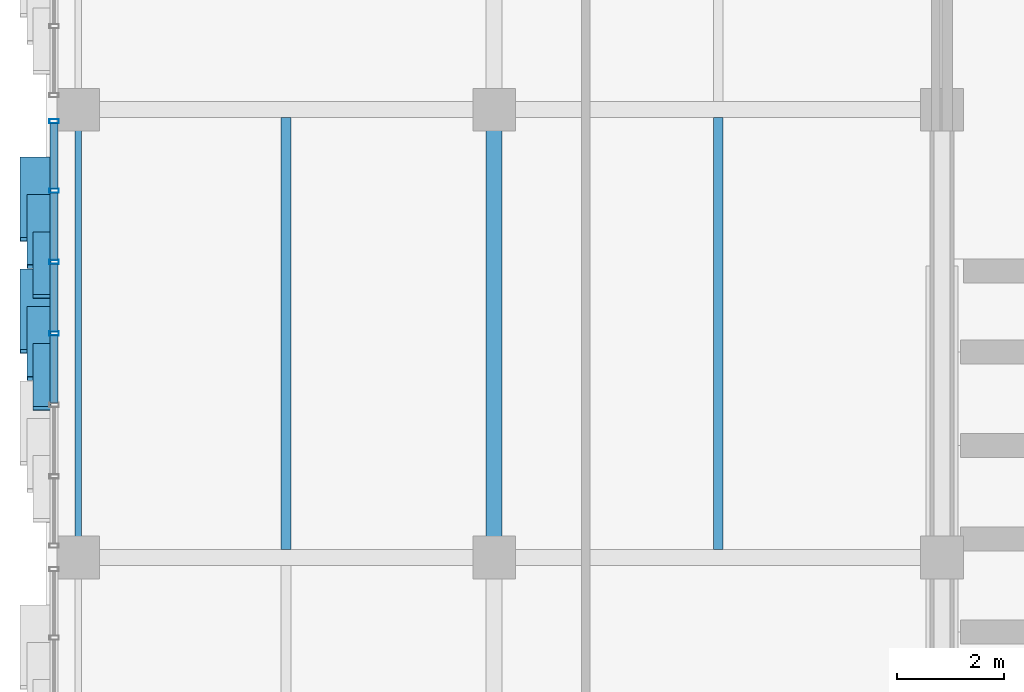
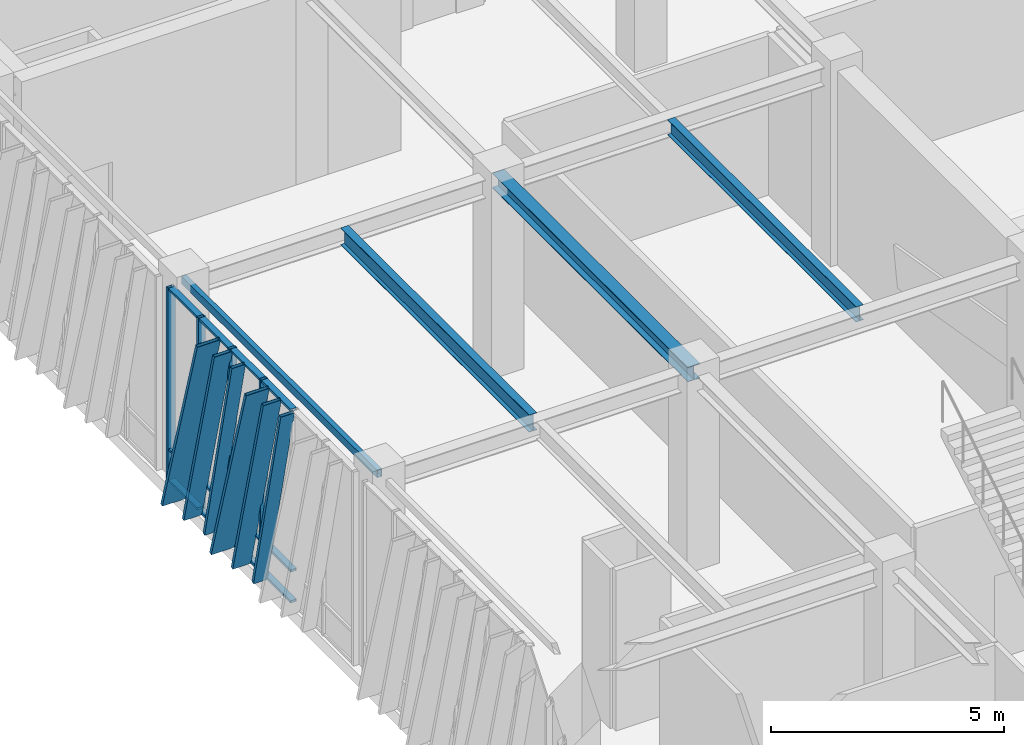
# One storey, part 37 of 122: 22 members, 4 beams, 1 element without a shape of its own.
"""IFC4 building model written with IfcOpenShell, lengths in metres."""

from ifc_helpers import new_model, si_unit, direction, frame, origin, origin_2d, place, context, subcontext, project, spatial, hollow_rectangle, i_section, extrude, material, layer, layer_set, material_profile, profile_set, type_object, element, aggregate, save


model = new_model("IFC4")

# Units and contexts
model_context = context("Model", 3, precision=1e-05, world=origin(), true_north=direction((0.0, 1.0)))
body_context = subcontext(model_context, "Body", "Model", "MODEL_VIEW")
ifc_project = project(units=[si_unit("LENGTHUNIT", "METRE"), si_unit("AREAUNIT", "SQUARE_METRE"), si_unit("VOLUMEUNIT", "CUBIC_METRE"), si_unit("PLANEANGLEUNIT", "RADIAN"), si_unit("MASSUNIT", "GRAM", prefix="KILO")], contexts=[model_context])

# Site, building, storey
site_placement = place(None, origin())
site = spatial("IfcSite", under=ifc_project, at=site_placement, CompositionType="ELEMENT")
building_placement = place(site_placement, origin())
building = spatial("IfcBuilding", under=site, at=building_placement, Name="Zayran Congress Hotel", CompositionType="ELEMENT")
storey_placement = place(building_placement, origin())
storey = spatial("IfcBuildingStorey", under=building, at=storey_placement, Name="L00", CompositionType="ELEMENT", Elevation=0.0)

# Beams
ifc_material_1 = material(Name="Steel S355", Category="steel")
ifc_material_profile_1 = material_profile(ifc_material_1, i_section(OverallWidth=0.300048828125, OverallDepth=0.389892578125, WebThickness=0.010986328125, FlangeThickness=0.01904296875, at=origin_2d()), Name="HEA 400")
ifc_profile_set_1 = profile_set([ifc_material_profile_1], Name="Steel S355")
beam_type_1 = type_object("IfcBeamType", Name="TP-BM-06", PredefinedType="BEAM", material=ifc_profile_set_1)
beam_1_placement = place(storey_placement, frame((16.800048828125, 92.800048828125, 4.885009765625), z_axis=(0.0, 1.0, 0.0), x_axis=(-1.0, 0.0, 0.0)))
element("IfcBeam", 1, at=beam_1_placement, inside=storey, type_object=beam_type_1, Name="BM-V1-L00-0453", PredefinedType="BEAM", context=body_context, shape_type="SweptSolid", body=[
    extrude(i_section(OverallWidth=0.300048828125, OverallDepth=0.389892578125, WebThickness=0.010986328125, FlangeThickness=0.01904296875, at=origin_2d()), origin(), (0.0, 0.0, 1.0), 8.39990234375),
])
ifc_material_profile_2 = material_profile(ifc_material_1, i_section(OverallWidth=0.18994140625, OverallDepth=0.449951171875, WebThickness=0.009521484375, FlangeThickness=0.0146484375, at=origin_2d()), Name="IPE 450")
ifc_profile_set_2 = profile_set([ifc_material_profile_2], Name="Steel S355")
beam_type_2 = type_object("IfcBeamType", Name="TP-JS-02", PredefinedType="JOIST", material=ifc_profile_set_2)
beam_2_placement = place(storey_placement, frame((12.89990234375, 92.949951171875, 4.85498046875), z_axis=(0.0, 1.0, 0.0), x_axis=(-1.0, 0.0, 0.0)))
element("IfcBeam", 2, at=beam_2_placement, inside=storey, type_object=beam_type_2, Name="JST-V1-L00-0492", PredefinedType="JOIST", context=body_context, shape_type="SweptSolid", body=[
    extrude(i_section(OverallWidth=0.18994140625, OverallDepth=0.449951171875, WebThickness=0.009521484375, FlangeThickness=0.0146484375, at=origin_2d()), origin(), (0.0, 0.0, 1.0), 8.10009765625),
])
ifc_material_profile_3 = material_profile(ifc_material_1, i_section(OverallWidth=0.179931640625, OverallDepth=0.39990234375, WebThickness=0.008544921875, FlangeThickness=0.013427734375, at=origin_2d()), Name="IPE 400")
ifc_profile_set_3 = profile_set([ifc_material_profile_3], Name="Steel S355")
beam_type_3 = type_object("IfcBeamType", Name="TP-JS-03", PredefinedType="JOIST", material=ifc_profile_set_3)
beam_3_placement = place(storey_placement, frame((21.0, 92.949951171875, 4.8798828125), z_axis=(0.0, 1.0, 0.0), x_axis=(-1.0, 0.0, 0.0)))
element("IfcBeam", 3, at=beam_3_placement, inside=storey, type_object=beam_type_3, Name="JST-V1-L00-0494", PredefinedType="JOIST", context=body_context, shape_type="SweptSolid", body=[
    extrude(i_section(OverallWidth=0.179931640625, OverallDepth=0.39990234375, WebThickness=0.008544921875, FlangeThickness=0.013427734375, at=origin_2d()), origin(), (0.0, 0.0, 1.0), 8.10009765625),
])
ifc_material_profile_4 = material_profile(ifc_material_1, hollow_rectangle(XDim=0.1201171875, YDim=0.199951171875, WallThickness=0.008056640625, at=origin_2d()), Name="RHS 200x120x8")
ifc_profile_set_4 = profile_set([ifc_material_profile_4], Name="Steel S355")
beam_type_4 = type_object("IfcBeamType", Name="TP-SP-02", PredefinedType="SPANDREL", material=ifc_profile_set_4)
beam_4_placement = place(storey_placement, frame((9.0, 92.800048828125, 4.97998046875), z_axis=(0.0, 1.0, 0.0), x_axis=(-1.0, 0.0, 0.0)))
element("IfcBeam", 4, at=beam_4_placement, inside=storey, type_object=beam_type_4, Name="BM-V1-L00-0448", PredefinedType="SPANDREL", context=body_context, shape_type="SweptSolid", body=[
    extrude(hollow_rectangle(XDim=0.1201171875, YDim=0.199951171875, WallThickness=0.008056640625, at=origin_2d()), origin(), (0.0, 0.0, 1.0), 8.39990234375),
])

# Curtain wall, members
ifc_material_2 = material(Name="Anodised aluminium and low-E insulated glass", Category="aluminium")
ifc_layer = layer(ifc_material_2, 0.179931640625)
ifc_layer_set = layer_set([ifc_layer], Name="Anodised aluminium and low-E insulated glass")
curtain_wall_type = type_object("IfcCurtainWallType", Name="CW-V1W-L00-CW-32-8040-5080", PredefinedType="USERDEFINED", material=ifc_layer_set)
curtain_wall_placement = place(storey_placement, origin())
curtain_wall = element("IfcCurtainWall", 5, at=curtain_wall_placement, inside=storey, type_object=curtain_wall_type, Name="CW-V1W-L00-3", ObjectType="CURTAIN WALL", PredefinedType="USERDEFINED")
ifc_material_3 = material(Name="Anodised aluminium framing", Category="aluminium")
ifc_material_profile_5 = material_profile(ifc_material_3, hollow_rectangle(XDim=0.080078125, YDim=0.179931640625, WallThickness=0.0048828125, at=origin_2d()), Name="RHS 180x80x5")
ifc_profile_set_5 = profile_set([ifc_material_profile_5], Name="Anodised aluminium framing")
member_type_1 = type_object("IfcMemberType", Name="TP-CWM-01", PredefinedType="MULLION", material=ifc_profile_set_5)
member_1_placement = place(storey_placement, frame((8.550048828125, 100.97998046875, 0.0), z_axis=(0.0, 0.0, 1.0), x_axis=(0.0, 1.0, 0.0)))
member_1 = element("IfcMember", 6, at=member_1_placement, type_object=member_type_1, Name="CW-V1W-L00-3-M00", PredefinedType="MULLION", context=body_context, shape_type="SweptSolid", body=[
    extrude(hollow_rectangle(XDim=0.080078125, YDim=0.179931640625, WallThickness=0.0048828125, at=origin_2d()), origin(), (0.0, 0.0, 1.0), 5.080078125),
])
member_2_placement = place(storey_placement, frame((8.550048828125, 99.679931640625, 0.0), z_axis=(0.0, 0.0, 1.0), x_axis=(0.0, 1.0, 0.0)))
member_2 = element("IfcMember", 7, at=member_2_placement, type_object=member_type_1, Name="CW-V1W-L00-3-M01", PredefinedType="MULLION", context=body_context, shape_type="SweptSolid", body=[
    extrude(hollow_rectangle(XDim=0.080078125, YDim=0.179931640625, WallThickness=0.0048828125, at=origin_2d()), origin(), (0.0, 0.0, 1.0), 5.080078125),
])
member_3_placement = place(storey_placement, frame((8.550048828125, 98.340087890625, 0.0), z_axis=(0.0, 0.0, 1.0), x_axis=(0.0, 1.0, 0.0)))
member_3 = element("IfcMember", 8, at=member_3_placement, type_object=member_type_1, Name="CW-V1W-L00-3-M02", PredefinedType="MULLION", context=body_context, shape_type="SweptSolid", body=[
    extrude(hollow_rectangle(XDim=0.080078125, YDim=0.179931640625, WallThickness=0.0048828125, at=origin_2d()), origin(), (0.0, 0.0, 1.0), 5.080078125),
])
member_4_placement = place(storey_placement, frame((8.550048828125, 97.0, 0.0), z_axis=(0.0, 0.0, 1.0), x_axis=(0.0, 1.0, 0.0)))
member_4 = element("IfcMember", 9, at=member_4_placement, type_object=member_type_1, Name="CW-V1W-L00-3-M03", PredefinedType="MULLION", context=body_context, shape_type="SweptSolid", body=[
    extrude(hollow_rectangle(XDim=0.080078125, YDim=0.179931640625, WallThickness=0.0048828125, at=origin_2d()), origin(), (0.0, 0.0, 1.0), 5.080078125),
])
ifc_material_profile_6 = material_profile(ifc_material_3, hollow_rectangle(XDim=0.06005859375, YDim=0.14990234375, WallThickness=0.00390625, at=origin_2d()), Name="RHS 150x60x4")
ifc_profile_set_6 = profile_set([ifc_material_profile_6], Name="Anodised aluminium framing")
member_type_2 = type_object("IfcMemberType", Name="TP-CWT-01", PredefinedType="USERDEFINED", material=ifc_profile_set_6)
member_5_placement = place(storey_placement, frame((8.550048828125, 100.93994140625, 0.030029296875), z_axis=(0.0, -1.0, 0.0), x_axis=(0.0, 0.0, 1.0)))
member_5 = element("IfcMember", 10, at=member_5_placement, type_object=member_type_2, Name="CW-V1W-L00-3-T00-0", ObjectType="TRANSOM", PredefinedType="USERDEFINED", context=body_context, shape_type="SweptSolid", body=[
    extrude(hollow_rectangle(XDim=0.06005859375, YDim=0.14990234375, WallThickness=0.00390625, at=origin_2d()), origin(), (0.0, 0.0, 1.0), 1.219970703125),
])
member_6_placement = place(storey_placement, frame((8.550048828125, 100.93994140625, 0.840087890625), z_axis=(0.0, -1.0, 0.0), x_axis=(0.0, 0.0, 1.0)))
member_6 = element("IfcMember", 11, at=member_6_placement, type_object=member_type_2, Name="CW-V1W-L00-3-T00-1", ObjectType="TRANSOM", PredefinedType="USERDEFINED", context=body_context, shape_type="SweptSolid", body=[
    extrude(hollow_rectangle(XDim=0.06005859375, YDim=0.14990234375, WallThickness=0.00390625, at=origin_2d()), origin(), (0.0, 0.0, 1.0), 1.219970703125),
])
member_7_placement = place(storey_placement, frame((8.550048828125, 100.93994140625, 5.050048828125), z_axis=(0.0, -1.0, 0.0), x_axis=(0.0, 0.0, 1.0)))
member_7 = element("IfcMember", 12, at=member_7_placement, type_object=member_type_2, Name="CW-V1W-L00-3-T00-2", ObjectType="TRANSOM", PredefinedType="USERDEFINED", context=body_context, shape_type="SweptSolid", body=[
    extrude(hollow_rectangle(XDim=0.06005859375, YDim=0.14990234375, WallThickness=0.00390625, at=origin_2d()), origin(), (0.0, 0.0, 1.0), 1.219970703125),
])
member_8_placement = place(storey_placement, frame((8.550048828125, 99.639892578125, 0.030029296875), z_axis=(0.0, -1.0, 0.0), x_axis=(0.0, 0.0, 1.0)))
member_8 = element("IfcMember", 13, at=member_8_placement, type_object=member_type_2, Name="CW-V1W-L00-3-T01-0", ObjectType="TRANSOM", PredefinedType="USERDEFINED", context=body_context, shape_type="SweptSolid", body=[
    extrude(hollow_rectangle(XDim=0.06005859375, YDim=0.14990234375, WallThickness=0.00390625, at=origin_2d()), origin(), (0.0, 0.0, 1.0), 1.260009765625),
])
member_9_placement = place(storey_placement, frame((8.550048828125, 99.639892578125, 0.840087890625), z_axis=(0.0, -1.0, 0.0), x_axis=(0.0, 0.0, 1.0)))
member_9 = element("IfcMember", 14, at=member_9_placement, type_object=member_type_2, Name="CW-V1W-L00-3-T01-1", ObjectType="TRANSOM", PredefinedType="USERDEFINED", context=body_context, shape_type="SweptSolid", body=[
    extrude(hollow_rectangle(XDim=0.06005859375, YDim=0.14990234375, WallThickness=0.00390625, at=origin_2d()), origin(), (0.0, 0.0, 1.0), 1.260009765625),
])
member_10_placement = place(storey_placement, frame((8.550048828125, 99.639892578125, 5.050048828125), z_axis=(0.0, -1.0, 0.0), x_axis=(0.0, 0.0, 1.0)))
member_10 = element("IfcMember", 15, at=member_10_placement, type_object=member_type_2, Name="CW-V1W-L00-3-T01-2", ObjectType="TRANSOM", PredefinedType="USERDEFINED", context=body_context, shape_type="SweptSolid", body=[
    extrude(hollow_rectangle(XDim=0.06005859375, YDim=0.14990234375, WallThickness=0.00390625, at=origin_2d()), origin(), (0.0, 0.0, 1.0), 1.260009765625),
])
member_11_placement = place(storey_placement, frame((8.550048828125, 98.300048828125, 0.030029296875), z_axis=(0.0, -1.0, 0.0), x_axis=(0.0, 0.0, 1.0)))
member_11 = element("IfcMember", 16, at=member_11_placement, type_object=member_type_2, Name="CW-V1W-L00-3-T02-0", ObjectType="TRANSOM", PredefinedType="USERDEFINED", context=body_context, shape_type="SweptSolid", body=[
    extrude(hollow_rectangle(XDim=0.06005859375, YDim=0.14990234375, WallThickness=0.00390625, at=origin_2d()), origin(), (0.0, 0.0, 1.0), 1.260009765625),
])
member_12_placement = place(storey_placement, frame((8.550048828125, 98.300048828125, 0.840087890625), z_axis=(0.0, -1.0, 0.0), x_axis=(0.0, 0.0, 1.0)))
member_12 = element("IfcMember", 17, at=member_12_placement, type_object=member_type_2, Name="CW-V1W-L00-3-T02-1", ObjectType="TRANSOM", PredefinedType="USERDEFINED", context=body_context, shape_type="SweptSolid", body=[
    extrude(hollow_rectangle(XDim=0.06005859375, YDim=0.14990234375, WallThickness=0.00390625, at=origin_2d()), origin(), (0.0, 0.0, 1.0), 1.260009765625),
])
member_13_placement = place(storey_placement, frame((8.550048828125, 98.300048828125, 5.050048828125), z_axis=(0.0, -1.0, 0.0), x_axis=(0.0, 0.0, 1.0)))
member_13 = element("IfcMember", 18, at=member_13_placement, type_object=member_type_2, Name="CW-V1W-L00-3-T02-2", ObjectType="TRANSOM", PredefinedType="USERDEFINED", context=body_context, shape_type="SweptSolid", body=[
    extrude(hollow_rectangle(XDim=0.06005859375, YDim=0.14990234375, WallThickness=0.00390625, at=origin_2d()), origin(), (0.0, 0.0, 1.0), 1.260009765625),
])
member_14_placement = place(storey_placement, frame((8.550048828125, 96.9599609375, 0.030029296875), z_axis=(0.0, -1.0, 0.0), x_axis=(0.0, 0.0, 1.0)))
member_14 = element("IfcMember", 19, at=member_14_placement, type_object=member_type_2, Name="CW-V1W-L00-3-T03-0", ObjectType="TRANSOM", PredefinedType="USERDEFINED", context=body_context, shape_type="SweptSolid", body=[
    extrude(hollow_rectangle(XDim=0.06005859375, YDim=0.14990234375, WallThickness=0.00390625, at=origin_2d()), origin(), (0.0, 0.0, 1.0), 1.260009765625),
])
member_15_placement = place(storey_placement, frame((8.550048828125, 96.9599609375, 0.840087890625), z_axis=(0.0, -1.0, 0.0), x_axis=(0.0, 0.0, 1.0)))
member_15 = element("IfcMember", 20, at=member_15_placement, type_object=member_type_2, Name="CW-V1W-L00-3-T03-1", ObjectType="TRANSOM", PredefinedType="USERDEFINED", context=body_context, shape_type="SweptSolid", body=[
    extrude(hollow_rectangle(XDim=0.06005859375, YDim=0.14990234375, WallThickness=0.00390625, at=origin_2d()), origin(), (0.0, 0.0, 1.0), 1.260009765625),
])
member_16_placement = place(storey_placement, frame((8.550048828125, 96.9599609375, 5.050048828125), z_axis=(0.0, -1.0, 0.0), x_axis=(0.0, 0.0, 1.0)))
member_16 = element("IfcMember", 21, at=member_16_placement, type_object=member_type_2, Name="CW-V1W-L00-3-T03-2", ObjectType="TRANSOM", PredefinedType="USERDEFINED", context=body_context, shape_type="SweptSolid", body=[
    extrude(hollow_rectangle(XDim=0.06005859375, YDim=0.14990234375, WallThickness=0.00390625, at=origin_2d()), origin(), (0.0, 0.0, 1.0), 1.260009765625),
])
ifc_material_4 = material(Name="Warm bronze anodised aluminium", Category="aluminium")
ifc_material_profile_7 = material_profile(ifc_material_4, hollow_rectangle(XDim=0.080078125, YDim=0.580078125, WallThickness=0.006103515625, at=origin_2d()), Name="RHS 580x80x6")
ifc_profile_set_7 = profile_set([ifc_material_profile_7], Name="Warm bronze anodised aluminium")
member_type_3 = type_object("IfcMemberType", Name="TP-RFN-01", PredefinedType="MULLION", material=ifc_profile_set_7)
member_17_placement = place(storey_placement, frame((8.199951171875, 100.27001953125, 0.0), z_axis=(0.0, -0.284031848834, 0.958814845968), x_axis=(0.0, 0.958814845968, 0.284031848834)))
member_17 = element("IfcMember", 22, at=member_17_placement, type_object=member_type_3, Name="Slanting Reed Mullion CW-32-01", PredefinedType="MULLION", context=body_context, shape_type="SweptSolid", body=[
    extrude(hollow_rectangle(XDim=0.080078125, YDim=0.580078125, WallThickness=0.006103515625, at=origin_2d()), origin(), (0.0, 0.0, 1.0), 5.29833984375),
])
member_18_placement = place(storey_placement, frame((8.199951171875, 98.169921875, 0.0), z_axis=(0.0, -0.283989486251, 0.958827394112), x_axis=(0.0, 0.958827394112, 0.283989486251)))
member_18 = element("IfcMember", 23, at=member_18_placement, type_object=member_type_3, Name="Slanting Reed Mullion CW-32-04", PredefinedType="MULLION", context=body_context, shape_type="SweptSolid", body=[
    extrude(hollow_rectangle(XDim=0.080078125, YDim=0.580078125, WallThickness=0.006103515625, at=origin_2d()), origin(), (0.0, 0.0, 1.0), 5.29833984375),
])
ifc_material_profile_8 = material_profile(ifc_material_4, hollow_rectangle(XDim=0.080078125, YDim=0.449951171875, WallThickness=0.006103515625, at=origin_2d()), Name="RHS 450x80x6")
ifc_profile_set_8 = profile_set([ifc_material_profile_8], Name="Warm bronze anodised aluminium")
member_type_4 = type_object("IfcMemberType", Name="TP-RFN-02", PredefinedType="MULLION", material=ifc_profile_set_8)
member_19_placement = place(storey_placement, frame((8.264892578125, 99.570068359375, 0.0), z_axis=(0.0, -0.25040989041, 0.968139910749), x_axis=(0.0, 0.968139910749, 0.25040989041)))
member_19 = element("IfcMember", 24, at=member_19_placement, type_object=member_type_4, Name="Slanting Reed Mullion CW-32-02", PredefinedType="MULLION", context=body_context, shape_type="SweptSolid", body=[
    extrude(hollow_rectangle(XDim=0.080078125, YDim=0.449951171875, WallThickness=0.006103515625, at=origin_2d()), origin(), (0.0, 0.0, 1.0), 5.247314453125),
])
member_20_placement = place(storey_placement, frame((8.264892578125, 97.469970703125, 0.0), z_axis=(0.0, -0.250366279854, 0.968151189594), x_axis=(0.0, 0.968151189594, 0.250366279854)))
member_20 = element("IfcMember", 25, at=member_20_placement, type_object=member_type_4, Name="Slanting Reed Mullion CW-32-05", PredefinedType="MULLION", context=body_context, shape_type="SweptSolid", body=[
    extrude(hollow_rectangle(XDim=0.080078125, YDim=0.449951171875, WallThickness=0.006103515625, at=origin_2d()), origin(), (0.0, 0.0, 1.0), 5.247314453125),
])
ifc_material_profile_9 = material_profile(ifc_material_4, hollow_rectangle(XDim=0.080078125, YDim=0.340087890625, WallThickness=0.006103515625, at=origin_2d()), Name="RHS 340x80x6")
ifc_profile_set_9 = profile_set([ifc_material_profile_9], Name="Warm bronze anodised aluminium")
member_type_5 = type_object("IfcMemberType", Name="TP-RFN-03", PredefinedType="MULLION", material=ifc_profile_set_9)
member_21_placement = place(storey_placement, frame((8.320068359375, 98.8701171875, 0.0), z_axis=(0.0, -0.224955263497, 0.974369093016), x_axis=(0.0, 0.974369093016, 0.224955263497)))
member_21 = element("IfcMember", 26, at=member_21_placement, type_object=member_type_5, Name="Slanting Reed Mullion CW-32-03", PredefinedType="MULLION", context=body_context, shape_type="SweptSolid", body=[
    extrude(hollow_rectangle(XDim=0.080078125, YDim=0.340087890625, WallThickness=0.006103515625, at=origin_2d()), origin(), (0.0, 0.0, 1.0), 5.213623046875),
])
member_22_placement = place(storey_placement, frame((8.320068359375, 96.77001953125, 0.0), z_axis=(0.0, -0.224955263497, 0.974369093016), x_axis=(0.0, 0.974369093016, 0.224955263497)))
member_22 = element("IfcMember", 27, at=member_22_placement, type_object=member_type_5, Name="Slanting Reed Mullion CW-32-06", PredefinedType="MULLION", context=body_context, shape_type="SweptSolid", body=[
    extrude(hollow_rectangle(XDim=0.080078125, YDim=0.340087890625, WallThickness=0.006103515625, at=origin_2d()), origin(), (0.0, 0.0, 1.0), 5.213623046875),
])
aggregate(curtain_wall, [member_1, member_2, member_3, member_4, member_5, member_6, member_7, member_8, member_9, member_10, member_11, member_12, member_13, member_14, member_15, member_16, member_17, member_19, member_21, member_18, member_20, member_22])

save(model, "model.ifc")
